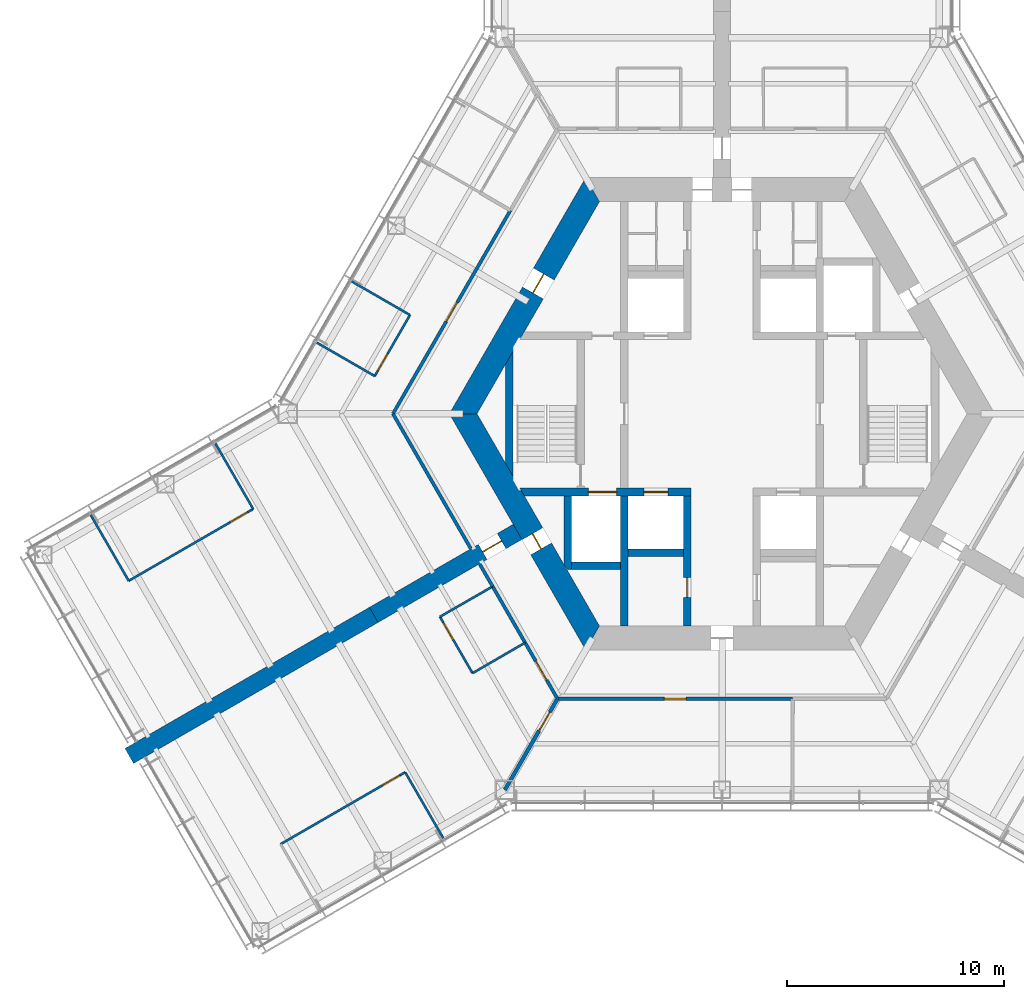
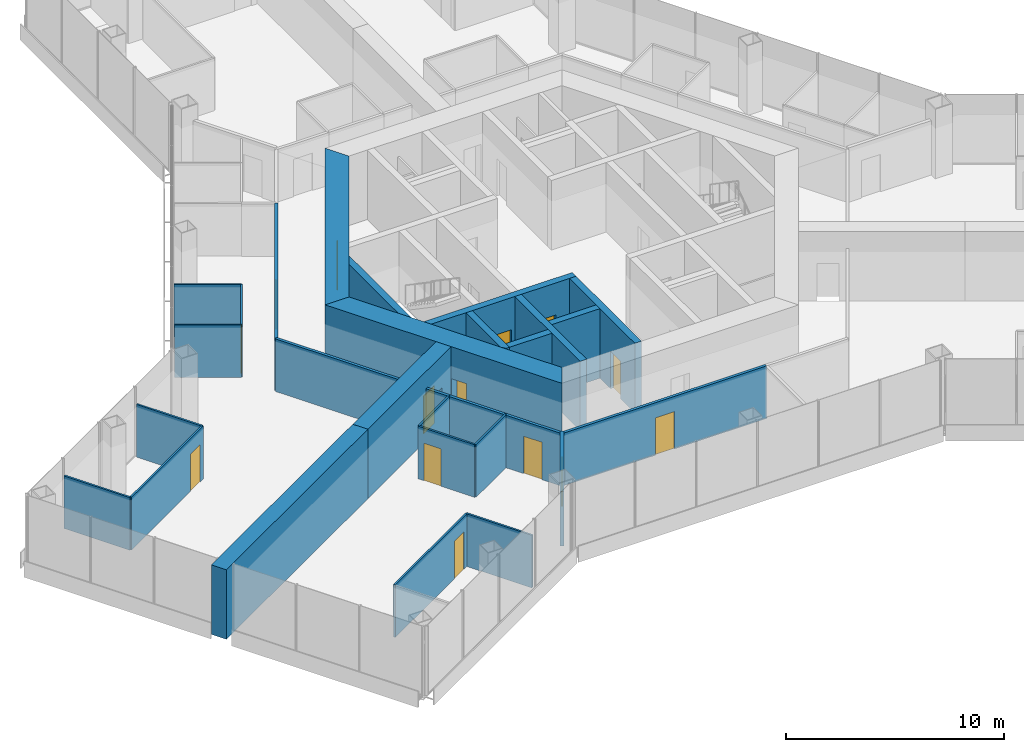
# One storey, part 12 of 18: 29 walls, 14 doors, 14 openings.
"""IFC4 building model written with IfcOpenShell, lengths in metres."""

from ifc_helpers import new_model, si_unit, direction, frame, frame_2d, origin, place, context, subcontext, project, spatial, polyline, rectangle, outline, extrude, material, layer, layer_set, type_object, element, fill, save


model = new_model("IFC4")

# Units and contexts
model_context = context("Model", 3, precision=1e-05, world=origin(), true_north=direction((0.0, 1.0)))
body_context = subcontext(model_context, "Body", "Model", "MODEL_VIEW")
ifc_project = project(units=[si_unit("LENGTHUNIT", "METRE"), si_unit("AREAUNIT", "SQUARE_METRE"), si_unit("VOLUMEUNIT", "CUBIC_METRE"), si_unit("PLANEANGLEUNIT", "RADIAN"), si_unit("MASSUNIT", "GRAM", prefix="KILO")], contexts=[model_context])

# Site, building, storey
site_placement = place(None, origin())
site = spatial("IfcSite", under=ifc_project, at=site_placement, CompositionType="ELEMENT")
building_placement = place(site_placement, origin())
building = spatial("IfcBuilding", under=site, at=building_placement, Name="Kasaneha Research Tower", CompositionType="ELEMENT")
storey_placement = place(building_placement, frame((0.0, 0.0, 69.0)))
storey = spatial("IfcBuildingStorey", under=building, at=storey_placement, Name="L17", CompositionType="ELEMENT", Elevation=69.0)

# Wall, openings, doors
ifc_material_1 = material(Name="Concrete Fc80", Category="concrete")
ifc_layer_1 = layer(ifc_material_1, 0.35009765625)
ifc_layer_set_1 = layer_set([ifc_layer_1], Name="Core internal wall 350 Fc80")
wall_type_1 = type_object("IfcWallType", Name="Core internal wall 350 Fc80", PredefinedType="SHEAR", material=ifc_layer_set_1)
wall_1_placement = place(storey_placement, frame((-9.208740234375, -3.60009765625, 0.0), z_axis=(0.0, 0.0, 1.0), x_axis=(1.0, 0.0, 0.0)))
wall_1 = element("IfcWall", 1, at=wall_1_placement, inside=storey, type_object=wall_type_1, Name="Core wall W2W L17", PredefinedType="SHEAR", context=body_context, shape_type="SweptSolid", body=[
    extrude(outline(polyline([(0.10107421875, -0.175048828125), (3.058837890625, -0.175048828125), (4.35888671875, -0.175048828125), (5.608642578125, -0.175048828125), (6.708740234375, -0.175048828125), (7.78369140625, -0.175048828125), (7.78369140625, 0.175048828125), (6.708740234375, 0.175048828125), (5.608642578125, 0.175048828125), (4.35888671875, 0.175048828125), (3.058837890625, 0.175048828125), (-0.10107421875, 0.175048828125), (0.10107421875, -0.175048828125)])), origin(), (0.0, 0.0, 1.0), 3.89990234375),
])
opening_1_placement = place(wall_1_placement, frame((5.608642578125, 0.0, 0.0)))
opening_1 = element("IfcOpeningElement", 2, at=opening_1_placement, cuts=wall_1, Name="Opening LD-LO2-L17", PredefinedType="OPENING", context=body_context, shape_type="SweptSolid", body=[
    extrude(rectangle(XDim=1.10009765625, YDim=2.10009765625, at=frame_2d((0.550048828125, 1.050048828125))), frame((0.0, 0.18505859375, 0.0), z_axis=(0.0, -1.0, 0.0), x_axis=(1.0, 0.0, 0.0)), (0.0, 0.0, 1.0), 0.3701171875),
])
opening_2_placement = place(wall_1_placement, frame((3.058837890625, 0.0, 0.0)))
opening_2 = element("IfcOpeningElement", 3, at=opening_2_placement, cuts=wall_1, Name="Opening LD-FL2-L17", PredefinedType="OPENING", context=body_context, shape_type="SweptSolid", body=[
    extrude(rectangle(XDim=1.300048828125, YDim=2.10009765625, at=frame_2d((0.64990234375, 1.050048828125))), frame((0.0, 0.18505859375, 0.0), z_axis=(0.0, -1.0, 0.0), x_axis=(1.0, 0.0, 0.0)), (0.0, 0.0, 1.0), 0.3701171875),
])
ifc_material_2 = material(Name="Steel", Category="steel")
door_type_1 = type_object("IfcDoorType", Name="Lift landing door 1100x2100", OperationType="DOUBLE_DOOR_SLIDING", PredefinedType="DOOR", material=ifc_material_2)
door_1_placement = place(opening_1_placement, origin())
door_1 = element("IfcDoor", 4, at=door_1_placement, inside=storey, type_object=door_type_1, Name="Landing door LO2 LD-LO2-L17", OperationType="DOUBLE_DOOR_SLIDING", OverallHeight=2.10009765625, OverallWidth=1.10009765625, PredefinedType="DOOR", context=body_context, shape_type="SweptSolid", body=[
    extrude(rectangle(XDim=1.10009765625, YDim=2.10009765625, at=frame_2d((0.550048828125, 1.050048828125))), frame((0.0, 0.02490234375, 0.0), z_axis=(0.0, -1.0, 0.0), x_axis=(1.0, 0.0, 0.0)), (0.0, 0.0, 1.0), 0.050048828125),
])
fill(opening_1, door_1)
ifc_material_3 = material(Name="Steel", Category="steel")
door_type_2 = type_object("IfcDoorType", Name="Lift landing door 1300x2100", OperationType="DOUBLE_DOOR_SLIDING", PredefinedType="DOOR", material=ifc_material_3)
door_2_placement = place(opening_2_placement, origin())
door_2 = element("IfcDoor", 5, at=door_2_placement, inside=storey, type_object=door_type_2, Name="Landing door FL2 LD-FL2-L17", OperationType="DOUBLE_DOOR_SLIDING", OverallHeight=2.10009765625, OverallWidth=1.300048828125, PredefinedType="DOOR", context=body_context, shape_type="SweptSolid", body=[
    extrude(rectangle(XDim=1.300048828125, YDim=2.10009765625, at=frame_2d((0.64990234375, 1.050048828125))), frame((0.0, 0.02490234375, 0.0), z_axis=(0.0, -1.0, 0.0), x_axis=(1.0, 0.0, 0.0)), (0.0, 0.0, 1.0), 0.050048828125),
])
fill(opening_2, door_2)

# Wall, opening, door
wall_2_placement = place(storey_placement, frame((-1.60009765625, -3.77490234375, 0.0), z_axis=(0.0, 0.0, 1.0), x_axis=(0.0, -1.0, 0.0)))
wall_2 = element("IfcWall", 6, at=wall_2_placement, inside=storey, type_object=wall_type_1, Name="Core wall CSW L17", PredefinedType="SHEAR", context=body_context, shape_type="SweptSolid", body=[
    extrude(rectangle(XDim=6.0, YDim=0.35009765625, at=frame_2d((3.0, 0.0))), origin(), (0.0, 0.0, 1.0), 3.89990234375),
])
opening_3_placement = place(wall_2_placement, frame((3.77490234375, 0.0, 0.0)))
opening_3 = element("IfcOpeningElement", 7, at=opening_3_placement, cuts=wall_2, Name="Opening L17-D16", PredefinedType="OPENING", context=body_context, shape_type="SweptSolid", body=[
    extrude(rectangle(XDim=0.89990234375, YDim=2.10009765625, at=frame_2d((0.449951171875, 1.050048828125))), frame((0.0, 0.18505859375, 0.0), z_axis=(0.0, -1.0, 0.0), x_axis=(1.0, 0.0, 0.0)), (0.0, 0.0, 1.0), 0.3701171875),
])
ifc_material_4 = material(Name="Steel", Category="steel")
door_type_3 = type_object("IfcDoorType", Name="Riser access door FD60 900x2100", OperationType="NOTDEFINED", PredefinedType="DOOR", material=ifc_material_4)
door_3_placement = place(opening_3_placement, origin())
door_3 = element("IfcDoor", 8, at=door_3_placement, inside=storey, type_object=door_type_3, Name="Electrical riser door L17-D16", OperationType="SINGLE_SWING_LEFT", OverallHeight=2.10009765625, OverallWidth=0.89990234375, PredefinedType="DOOR", context=body_context, shape_type="SweptSolid", body=[
    extrude(rectangle(XDim=0.89990234375, YDim=2.10009765625, at=frame_2d((0.449951171875, 1.050048828125))), frame((0.0, 0.02490234375, 0.0), z_axis=(0.0, -1.0, 0.0), x_axis=(1.0, 0.0, 0.0)), (0.0, 0.0, 1.0), 0.050048828125),
])
fill(opening_3, door_3)

# Walls
wall_3_placement = place(storey_placement, frame((-4.5, -3.77490234375, 0.0), z_axis=(0.0, 0.0, 1.0), x_axis=(0.0, -1.0, 0.0)))
element("IfcWall", 9, at=wall_3_placement, inside=storey, type_object=wall_type_1, Name="Core wall SSW L17", PredefinedType="SHEAR", context=body_context, shape_type="SweptSolid", body=[
    extrude(rectangle(XDim=6.0, YDim=0.35009765625, at=frame_2d((3.0, 0.0))), origin(), (0.0, 0.0, 1.0), 3.89990234375),
])
wall_4_placement = place(storey_placement, frame((-4.324951171875, -6.39990234375, 0.0), z_axis=(0.0, 0.0, 1.0), x_axis=(1.0, 0.0, 0.0)))
element("IfcWall", 10, at=wall_4_placement, inside=storey, type_object=wall_type_1, Name="Core wall S1S L17", PredefinedType="SHEAR", context=body_context, shape_type="SweptSolid", body=[
    extrude(rectangle(XDim=2.550048828125, YDim=0.35009765625, at=frame_2d((1.27490234375, 0.0))), origin(), (0.0, 0.0, 1.0), 3.89990234375),
])
wall_5_placement = place(storey_placement, frame((-6.925048828125, -7.0, 0.0), z_axis=(0.0, 0.0, 1.0), x_axis=(1.0, 0.0, 0.0)))
element("IfcWall", 11, at=wall_5_placement, inside=storey, type_object=wall_type_1, Name="Core wall F2S L17", PredefinedType="SHEAR", context=body_context, shape_type="SweptSolid", body=[
    extrude(rectangle(XDim=2.25, YDim=0.35009765625, at=frame_2d((1.125, 0.0))), origin(), (0.0, 0.0, 1.0), 3.89990234375),
])
wall_6_placement = place(storey_placement, frame((-7.10009765625, -3.77490234375, 0.0), z_axis=(0.0, 0.0, 1.0), x_axis=(0.0, -1.0, 0.0)))
element("IfcWall", 12, at=wall_6_placement, inside=storey, type_object=wall_type_1, Name="Core wall F2W L17", PredefinedType="SHEAR", context=body_context, shape_type="SweptSolid", body=[
    extrude(outline(polyline([(0.0, -0.175048828125), (3.174560546875, -0.175048828125), (3.400146484375, 0.0), (3.400146484375, 0.175048828125), (0.0, 0.175048828125), (0.0, -0.175048828125)])), origin(), (0.0, 0.0, 1.0), 3.89990234375),
])
wall_7_placement = place(storey_placement, frame((-9.807861328125, -2.562255859375, 0.0), z_axis=(0.0, 0.0, 1.0), x_axis=(0.0, 1.0, 0.0)))
element("IfcWall", 13, at=wall_7_placement, inside=storey, type_object=wall_type_1, Name="Core wall STW L17", PredefinedType="SHEAR", context=body_context, shape_type="SweptSolid", body=[
    extrude(outline(polyline([(-0.30322265625, -0.175048828125), (5.427734375, -0.175048828125), (4.8212890625, 0.175048828125), (0.30322265625, 0.175048828125), (-0.30322265625, -0.175048828125)])), origin(), (0.0, 0.0, 1.0), 3.89990234375),
])

# Wall, opening, door
ifc_material_5 = material(Name="Concrete Fc80", Category="concrete")
ifc_layer_2 = layer(ifc_material_5, 1.10009765625)
ifc_layer_set_2 = layer_set([ifc_layer_2], Name="Core wall 1100 Fc80")
wall_type_2 = type_object("IfcWallType", Name="Core wall 1100 Fc80", PredefinedType="SHEAR", material=ifc_layer_set_2)
wall_8_placement = place(storey_placement, frame((-5.961181640625, 10.324951171875, 0.0), z_axis=(0.0, 0.0, 1.0), x_axis=(-0.500004296715, -0.866022923061, 0.0)))
wall_8 = element("IfcWall", 14, at=wall_8_placement, inside=storey, type_object=wall_type_2, Name="Core wall 150 L17", PredefinedType="SHEAR", context=body_context, shape_type="SweptSolid", body=[
    extrude(outline(polyline([(-0.317626953125, -0.550048828125), (4.494140625, -0.550048828125), (5.494140625, -0.550048828125), (12.239990234375, -0.550048828125), (11.604736328125, 0.550048828125), (5.494140625, 0.550048828125), (4.494140625, 0.550048828125), (0.317626953125, 0.550048828125), (-0.317626953125, -0.550048828125)])), origin(), (0.0, 0.0, 1.0), 3.89990234375),
])
opening_4_placement = place(wall_8_placement, frame((4.494140625, 0.0, 0.0)))
opening_4 = element("IfcOpeningElement", 15, at=opening_4_placement, cuts=wall_8, Name="Opening L17-D07", PredefinedType="OPENING", context=body_context, shape_type="SweptSolid", body=[
    extrude(rectangle(XDim=1.0, YDim=2.10009765625, at=frame_2d((0.5, 1.050048828125))), frame((0.0, 0.56005859375, 0.0), z_axis=(0.0, -1.0, 0.0), x_axis=(1.0, 0.0, 0.0)), (0.0, 0.0, 1.0), 1.1201171875),
])
ifc_material_6 = material(Name="Steel", Category="steel")
door_type_4 = type_object("IfcDoorType", Name="Fire door FD20 1000x2100", OperationType="NOTDEFINED", PredefinedType="DOOR", material=ifc_material_6)
door_4_placement = place(opening_4_placement, origin())
door_4 = element("IfcDoor", 16, at=door_4_placement, inside=storey, type_object=door_type_4, Name="Vestibule door L17-D07", OperationType="SINGLE_SWING_LEFT", OverallHeight=2.10009765625, OverallWidth=1.0, PredefinedType="DOOR", context=body_context, shape_type="SweptSolid", body=[
    extrude(rectangle(XDim=1.0, YDim=2.10009765625, at=frame_2d((0.5, 1.050048828125))), frame((0.0, 0.02490234375, 0.0), z_axis=(0.0, -1.0, 0.0), x_axis=(1.0, 0.0, 0.0)), (0.0, 0.0, 1.0), 0.050048828125),
])
fill(opening_4, door_4)

wall_9_placement = place(storey_placement, frame((-11.92236328125, 0.0, 0.0), z_axis=(0.0, 0.0, 1.0), x_axis=(0.500004296715, -0.866022923061, 0.0)))
wall_9 = element("IfcWall", 17, at=wall_9_placement, inside=storey, type_object=wall_type_2, Name="Core wall 210 L17", PredefinedType="SHEAR", context=body_context, shape_type="SweptSolid", body=[
    extrude(outline(polyline([(-0.317626953125, -0.550048828125), (6.381103515625, -0.550048828125), (7.18115234375, -0.550048828125), (12.239990234375, -0.550048828125), (11.604736328125, 0.550048828125), (7.18115234375, 0.550048828125), (6.381103515625, 0.550048828125), (0.317626953125, 0.550048828125), (-0.317626953125, -0.550048828125)])), origin(), (0.0, 0.0, 1.0), 3.89990234375),
])
opening_5_placement = place(wall_9_placement, frame((6.381103515625, 0.0, 0.0)))
opening_5 = element("IfcOpeningElement", 18, at=opening_5_placement, cuts=wall_9, Name="Opening L17-D06", PredefinedType="OPENING", context=body_context, shape_type="SweptSolid", body=[
    extrude(rectangle(XDim=0.800048828125, YDim=2.10009765625, at=frame_2d((0.39990234375, 1.050048828125))), frame((0.0, 0.56005859375, 0.0), z_axis=(0.0, -1.0, 0.0), x_axis=(1.0, 0.0, 0.0)), (0.0, 0.0, 1.0), 1.1201171875),
])
ifc_material_7 = material(Name="Steel", Category="steel")
door_type_5 = type_object("IfcDoorType", Name="Riser access door FD60 800x2100", OperationType="NOTDEFINED", PredefinedType="DOOR", material=ifc_material_7)
door_5_placement = place(opening_5_placement, origin())
door_5 = element("IfcDoor", 19, at=door_5_placement, inside=storey, type_object=door_type_5, Name="Duct riser door L17-D06", OperationType="SINGLE_SWING_RIGHT", OverallHeight=2.10009765625, OverallWidth=0.800048828125, PredefinedType="DOOR", context=body_context, shape_type="SweptSolid", body=[
    extrude(rectangle(XDim=0.800048828125, YDim=2.10009765625, at=frame_2d((0.39990234375, 1.050048828125))), frame((0.0, 0.02490234375, 0.0), z_axis=(0.0, -1.0, 0.0), x_axis=(1.0, 0.0, 0.0)), (0.0, 0.0, 1.0), 0.050048828125),
])
fill(opening_5, door_5)

# Walls
ifc_material_8 = material(Name="Gypsum board on steel studs, one layer each side", Category="steel")
ifc_layer_3 = layer(ifc_material_8, 0.10009765625)
ifc_layer_set_3 = layer_set([ifc_layer_3], Name="Office partition 100")
wall_type_3 = type_object("IfcWallType", Name="Office partition 100", PredefinedType="PARTITIONING", material=ifc_layer_set_3)
wall_10_placement = place(storey_placement, frame((-27.324951171875, -7.693115234375, 0.0), z_axis=(0.0, 0.0, 1.0), x_axis=(-0.500010275428, 0.866019471182, 0.0)))
element("IfcWall", 20, at=wall_10_placement, inside=storey, type_object=wall_type_3, Name="Office partition FBN04 L17", PredefinedType="PARTITIONING", context=body_context, shape_type="SweptSolid", body=[
    extrude(rectangle(XDim=3.5, YDim=0.10009765625, at=frame_2d((1.75, 0.0))), origin(), (0.0, 0.0, 1.0), 2.949951171875),
])
wall_11_placement = place(storey_placement, frame((-23.332275390625, -1.36962890625, 0.0), z_axis=(0.0, 0.0, 1.0), x_axis=(0.500009906705, -0.86601968407, 0.0)))
element("IfcWall", 21, at=wall_11_placement, inside=storey, type_object=wall_type_3, Name="Office partition FBN05 L17", PredefinedType="PARTITIONING", context=body_context, shape_type="SweptSolid", body=[
    extrude(rectangle(XDim=3.47998046875, YDim=0.10009765625, at=frame_2d((1.739990234375, 0.0))), origin(), (0.0, 0.0, 1.0), 2.949951171875),
])

# Wall, opening, door
wall_12_placement = place(storey_placement, frame((-21.59228515625, -4.38330078125, 0.0), z_axis=(0.0, 0.0, 1.0), x_axis=(-0.866021597574, -0.500006592492, 0.0)))
wall_12 = element("IfcWall", 22, at=wall_12_placement, inside=storey, type_object=wall_type_3, Name="Office partition FBN06 L17", PredefinedType="PARTITIONING", context=body_context, shape_type="SweptSolid", body=[
    extrude(rectangle(XDim=6.61962890625, YDim=0.10009765625, at=frame_2d((3.309814453125, 0.0))), origin(), (0.0, 0.0, 1.0), 2.949951171875),
])
opening_6_placement = place(wall_12_placement, frame((0.300048828125, 0.0, 0.0)))
opening_6 = element("IfcOpeningElement", 23, at=opening_6_placement, cuts=wall_12, Name="Opening L17-D41", PredefinedType="OPENING", context=body_context, shape_type="SweptSolid", body=[
    extrude(rectangle(XDim=0.89990234375, YDim=2.10009765625, at=frame_2d((0.449951171875, 1.050048828125))), frame((0.0, 0.06005859375, 0.0), z_axis=(0.0, -1.0, 0.0), x_axis=(1.0, 0.0, 0.0)), (0.0, 0.0, 1.0), 0.1201171875),
])
ifc_material_9 = material(Name="Timber veneer", Category="wood")
door_type_6 = type_object("IfcDoorType", Name="Office door 900x2100", OperationType="SINGLE_SWING_LEFT", PredefinedType="DOOR", material=ifc_material_9)
door_6_placement = place(opening_6_placement, origin())
door_6 = element("IfcDoor", 24, at=door_6_placement, inside=storey, type_object=door_type_6, Name="Meeting room door L17-D41", OperationType="SINGLE_SWING_LEFT", OverallHeight=2.10009765625, OverallWidth=0.89990234375, PredefinedType="DOOR", context=body_context, shape_type="SweptSolid", body=[
    extrude(rectangle(XDim=0.89990234375, YDim=2.10009765625, at=frame_2d((0.449951171875, 1.050048828125))), frame((0.0, 0.02490234375, 0.0), z_axis=(0.0, -1.0, 0.0), x_axis=(1.0, 0.0, 0.0)), (0.0, 0.0, 1.0), 0.050048828125),
])
fill(opening_6, door_6)

# Walls
wall_13_placement = place(storey_placement, frame((-17.05615234375, 6.098876953125, 0.0), z_axis=(0.0, 0.0, 1.0), x_axis=(0.86600983753, -0.500026960575, 0.0)))
element("IfcWall", 25, at=wall_13_placement, inside=storey, type_object=wall_type_3, Name="Office partition FBN10 L17", PredefinedType="PARTITIONING", context=body_context, shape_type="SweptSolid", body=[
    extrude(rectangle(XDim=3.099853515625, YDim=0.10009765625, at=frame_2d((1.5498046875, 0.0))), origin(), (0.0, 0.0, 1.0), 2.949951171875),
])
wall_14_placement = place(storey_placement, frame((-15.99462890625, 1.7373046875, 0.0), z_axis=(0.0, 0.0, 1.0), x_axis=(-0.866029832698, 0.499992328818, 0.0)))
element("IfcWall", 26, at=wall_14_placement, inside=storey, type_object=wall_type_3, Name="Office partition FBN11 L17", PredefinedType="PARTITIONING", context=body_context, shape_type="SweptSolid", body=[
    extrude(rectangle(XDim=3.080078125, YDim=0.10009765625, at=frame_2d((1.5400390625, 0.0))), origin(), (0.0, 0.0, 1.0), 2.949951171875),
])

# Wall, opening, door
wall_15_placement = place(storey_placement, frame((-14.37158203125, 4.548828125, 0.0), z_axis=(0.0, 0.0, 1.0), x_axis=(-0.499956811548, -0.866050337213, 0.0)))
wall_15 = element("IfcWall", 27, at=wall_15_placement, inside=storey, type_object=wall_type_3, Name="Office partition FBN12 L17", PredefinedType="PARTITIONING", context=body_context, shape_type="SweptSolid", body=[
    extrude(rectangle(XDim=3.246337890625, YDim=0.10009765625, at=frame_2d((1.623046875, 0.0))), origin(), (0.0, 0.0, 1.0), 2.949951171875),
])
opening_7_placement = place(wall_15_placement, frame((2.04638671875, 0.0, 0.0)))
opening_7 = element("IfcOpeningElement", 28, at=opening_7_placement, cuts=wall_15, Name="Opening L17-D43", PredefinedType="OPENING", context=body_context, shape_type="SweptSolid", body=[
    extrude(rectangle(XDim=0.89990234375, YDim=2.10009765625, at=frame_2d((0.449951171875, 1.050048828125))), frame((0.0, 0.06005859375, 0.0), z_axis=(0.0, -1.0, 0.0), x_axis=(1.0, 0.0, 0.0)), (0.0, 0.0, 1.0), 0.1201171875),
])
door_7_placement = place(opening_7_placement, origin())
door_7 = element("IfcDoor", 29, at=door_7_placement, inside=storey, type_object=door_type_6, Name="Workroom door L17-D43", OperationType="SINGLE_SWING_RIGHT", OverallHeight=2.10009765625, OverallWidth=0.89990234375, PredefinedType="DOOR", context=body_context, shape_type="SweptSolid", body=[
    extrude(rectangle(XDim=0.89990234375, YDim=2.10009765625, at=frame_2d((0.449951171875, 1.050048828125))), frame((0.0, 0.02490234375, 0.0), z_axis=(0.0, -1.0, 0.0), x_axis=(1.0, 0.0, 0.0)), (0.0, 0.0, 1.0), 0.050048828125),
])
fill(opening_7, door_7)

wall_16_placement = place(storey_placement, frame((-20.324951171875, -19.8173828125, 0.0), z_axis=(0.0, 0.0, 1.0), x_axis=(0.866037567856, 0.499978930619, 0.0)))
wall_16 = element("IfcWall", 30, at=wall_16_placement, inside=storey, type_object=wall_type_3, Name="Office partition FBS04 L17", PredefinedType="PARTITIONING", context=body_context, shape_type="SweptSolid", body=[
    extrude(rectangle(XDim=6.619384765625, YDim=0.10009765625, at=frame_2d((3.3095703125, 0.0))), origin(), (0.0, 0.0, 1.0), 2.949951171875),
])
opening_8_placement = place(wall_16_placement, frame((5.419677734375, 0.0, 0.0)))
opening_8 = element("IfcOpeningElement", 31, at=opening_8_placement, cuts=wall_16, Name="Opening L17-D46", PredefinedType="OPENING", context=body_context, shape_type="SweptSolid", body=[
    extrude(rectangle(XDim=0.89990234375, YDim=2.10009765625, at=frame_2d((0.449951171875, 1.050048828125))), frame((0.0, 0.06005859375, 0.0), z_axis=(0.0, -1.0, 0.0), x_axis=(1.0, 0.0, 0.0)), (0.0, 0.0, 1.0), 0.1201171875),
])
door_8_placement = place(opening_8_placement, origin())
door_8 = element("IfcDoor", 32, at=door_8_placement, inside=storey, type_object=door_type_6, Name="Meeting room door L17-D46", OperationType="SINGLE_SWING_RIGHT", OverallHeight=2.10009765625, OverallWidth=0.89990234375, PredefinedType="DOOR", context=body_context, shape_type="SweptSolid", body=[
    extrude(rectangle(XDim=0.89990234375, YDim=2.10009765625, at=frame_2d((0.449951171875, 1.050048828125))), frame((0.0, 0.02490234375, 0.0), z_axis=(0.0, -1.0, 0.0), x_axis=(1.0, 0.0, 0.0)), (0.0, 0.0, 1.0), 0.050048828125),
])
fill(opening_8, door_8)

# Walls
wall_17_placement = place(storey_placement, frame((-14.59228515625, -16.5078125, 0.0), z_axis=(0.0, 0.0, 1.0), x_axis=(0.500010275428, -0.866019471182, 0.0)))
element("IfcWall", 33, at=wall_17_placement, inside=storey, type_object=wall_type_3, Name="Office partition FBS06 L17", PredefinedType="PARTITIONING", context=body_context, shape_type="SweptSolid", body=[
    extrude(rectangle(XDim=3.5, YDim=0.10009765625, at=frame_2d((1.75, 0.0))), origin(), (0.0, 0.0, 1.0), 2.949951171875),
])
wall_18_placement = place(storey_placement, frame((-12.991455078125, -9.34814453125, 0.0), z_axis=(0.0, 0.0, 1.0), x_axis=(0.866817750494, 0.498625097071, 0.0)))
element("IfcWall", 34, at=wall_18_placement, inside=storey, type_object=wall_type_3, Name="Office partition FBS07 L17", PredefinedType="PARTITIONING", context=body_context, shape_type="SweptSolid", body=[
    extrude(rectangle(XDim=2.80029296875, YDim=0.10009765625, at=frame_2d((1.400146484375, 0.0))), origin(), (0.0, 0.0, 1.0), 2.949951171875),
])

# Wall, opening, door
wall_19_placement = place(storey_placement, frame((-11.491455078125, -11.9462890625, 0.0), z_axis=(0.0, 0.0, 1.0), x_axis=(-0.499990139034, 0.866031096941, 0.0)))
wall_19 = element("IfcWall", 35, at=wall_19_placement, inside=storey, type_object=wall_type_3, Name="Office partition FBS08 L17", PredefinedType="PARTITIONING", context=body_context, shape_type="SweptSolid", body=[
    extrude(rectangle(XDim=3.0, YDim=0.10009765625, at=frame_2d((1.5, 0.0))), origin(), (0.0, 0.0, 1.0), 2.949951171875),
])
opening_9_placement = place(wall_19_placement, frame((1.800048828125, 0.0, 0.0)))
opening_9 = element("IfcOpeningElement", 36, at=opening_9_placement, cuts=wall_19, Name="Opening L17-D47", PredefinedType="OPENING", context=body_context, shape_type="SweptSolid", body=[
    extrude(rectangle(XDim=0.89990234375, YDim=2.10009765625, at=frame_2d((0.449951171875, 1.050048828125))), frame((0.0, 0.06005859375, 0.0), z_axis=(0.0, -1.0, 0.0), x_axis=(1.0, 0.0, 0.0)), (0.0, 0.0, 1.0), 0.1201171875),
])
door_9_placement = place(opening_9_placement, origin())
door_9 = element("IfcDoor", 37, at=door_9_placement, inside=storey, type_object=door_type_6, Name="Pantry door L17-D47", OperationType="SINGLE_SWING_RIGHT", OverallHeight=2.10009765625, OverallWidth=0.89990234375, PredefinedType="DOOR", context=body_context, shape_type="SweptSolid", body=[
    extrude(rectangle(XDim=0.89990234375, YDim=2.10009765625, at=frame_2d((0.449951171875, 1.050048828125))), frame((0.0, 0.02490234375, 0.0), z_axis=(0.0, -1.0, 0.0), x_axis=(1.0, 0.0, 0.0)), (0.0, 0.0, 1.0), 0.050048828125),
])
fill(opening_9, door_9)

# Wall
wall_20_placement = place(storey_placement, frame((-9.06884765625, -10.542236328125, 0.0), z_axis=(0.0, 0.0, 1.0), x_axis=(-0.865195372903, -0.501434907746, 0.0)))
element("IfcWall", 38, at=wall_20_placement, inside=storey, type_object=wall_type_3, Name="Office partition FBS09 L17", PredefinedType="PARTITIONING", context=body_context, shape_type="SweptSolid", body=[
    extrude(rectangle(XDim=2.800048828125, YDim=0.10009765625, at=frame_2d((1.39990234375, 0.0))), origin(), (0.0, 0.0, 1.0), 2.949951171875),
])

# Wall, opening, door
ifc_material_10 = material(Name="Concrete Fc80", Category="concrete")
ifc_layer_4 = layer(ifc_material_10, 0.800048828125)
ifc_layer_set_4 = layer_set([ifc_layer_4], Name="Spine wall 800 Fc80")
wall_type_4 = type_object("IfcWallType", Name="Spine wall 800 Fc80", PredefinedType="SHEAR", material=ifc_layer_set_4)
wall_21_placement = place(storey_placement, frame((-9.41796875, -5.4375, 0.0), z_axis=(0.0, 0.0, 1.0), x_axis=(-0.866029782078, -0.499992416496, 0.0)))
wall_21 = element("IfcWall", 39, at=wall_21_placement, inside=storey, type_object=wall_type_4, Name="Spine wall B L17", PredefinedType="SHEAR", context=body_context, shape_type="SweptSolid", body=[
    extrude(rectangle(XDim=7.6455078125, YDim=0.800048828125, at=frame_2d((3.82275390625, 0.0))), origin(), (0.0, 0.0, 1.0), 3.89990234375),
])
opening_10_placement = place(wall_21_placement, frame((0.85009765625, 0.0, 0.0)))
opening_10 = element("IfcOpeningElement", 40, at=opening_10_placement, cuts=wall_21, Name="Opening L17-D18", PredefinedType="OPENING", context=body_context, shape_type="SweptSolid", body=[
    extrude(rectangle(XDim=1.0, YDim=2.10009765625, at=frame_2d((0.5, 1.050048828125))), frame((0.0, 0.41015625, 0.0), z_axis=(0.0, -1.0, 0.0), x_axis=(1.0, 0.0, 0.0)), (0.0, 0.0, 1.0), 0.820068359375),
])
ifc_material_11 = material(Name="Steel", Category="steel")
door_type_7 = type_object("IfcDoorType", Name="Specified fire door FD60 1000x2100", OperationType="NOTDEFINED", PredefinedType="DOOR", material=ifc_material_11)
door_10_placement = place(opening_10_placement, origin())
door_10 = element("IfcDoor", 41, at=door_10_placement, inside=storey, type_object=door_type_7, Name="Spine doorway B L17-D18", OperationType="SINGLE_SWING_LEFT", OverallHeight=2.10009765625, OverallWidth=1.0, PredefinedType="DOOR", context=body_context, shape_type="SweptSolid", body=[
    extrude(rectangle(XDim=1.0, YDim=2.10009765625, at=frame_2d((0.5, 1.050048828125))), frame((0.0, 0.02490234375, 0.0), z_axis=(0.0, -1.0, 0.0), x_axis=(1.0, 0.0, 0.0)), (0.0, 0.0, 1.0), 0.050048828125),
])
fill(opening_10, door_10)

# Wall
wall_22_placement = place(storey_placement, frame((-16.039306640625, -9.26025390625, 0.0), z_axis=(0.0, 0.0, 1.0), x_axis=(-0.866024837091, -0.50000098154, 0.0)))
element("IfcWall", 42, at=wall_22_placement, inside=storey, type_object=wall_type_4, Name="Spine wall B wing L17", PredefinedType="SHEAR", context=body_context, shape_type="SweptSolid", body=[
    extrude(rectangle(XDim=13.0, YDim=0.800048828125, at=frame_2d((6.5, 0.0))), origin(), (0.0, 0.0, 1.0), 3.89990234375),
])

# Wall, opening, door
ifc_material_12 = material(Name="Gypsum board on steel studs, two layers each side", Category="steel")
ifc_layer_5 = layer(ifc_material_12, 0.14990234375)
ifc_layer_set_5 = layer_set([ifc_layer_5], Name="Suite partition 150")
wall_type_5 = type_object("IfcWallType", Name="Suite partition 150", PredefinedType="PARTITIONING", material=ifc_layer_set_5)
wall_23_placement = place(storey_placement, frame((-15.155517578125, 0.0, 0.0), z_axis=(0.0, 0.0, 1.0), x_axis=(0.499994365404, 0.866028656896, 0.0)))
wall_23 = element("IfcWall", 43, at=wall_23_placement, inside=storey, type_object=wall_type_5, Name="Suite partition FBN01 L17", PredefinedType="PARTITIONING", context=body_context, shape_type="SweptSolid", body=[
    extrude(rectangle(XDim=10.8291015625, YDim=0.14990234375, at=frame_2d((5.41455078125, 0.0))), origin(), (0.0, 0.0, 1.0), 2.949951171875),
])
opening_11_placement = place(wall_23_placement, frame((4.91455078125, 0.0, 0.0)))
opening_11 = element("IfcOpeningElement", 44, at=opening_11_placement, cuts=wall_23, Name="Opening L17-D39", PredefinedType="OPENING", context=body_context, shape_type="SweptSolid", body=[
    extrude(rectangle(XDim=1.0, YDim=2.10009765625, at=frame_2d((0.5, 1.050048828125))), frame((0.0, 0.0849609375, 0.0), z_axis=(0.0, -1.0, 0.0), x_axis=(1.0, 0.0, 0.0)), (0.0, 0.0, 1.0), 0.169921875),
])
ifc_material_13 = material(Name="Steel", Category="steel")
door_type_8 = type_object("IfcDoorType", Name="Suite entrance door FD60 1000x2100", OperationType="NOTDEFINED", PredefinedType="DOOR", material=ifc_material_13)
door_11_placement = place(opening_11_placement, origin())
door_11 = element("IfcDoor", 45, at=door_11_placement, inside=storey, type_object=door_type_8, Name="Suite entrance door L17-D39", OperationType="SINGLE_SWING_RIGHT", OverallHeight=2.10009765625, OverallWidth=1.0, PredefinedType="DOOR", context=body_context, shape_type="SweptSolid", body=[
    extrude(rectangle(XDim=1.0, YDim=2.10009765625, at=frame_2d((0.5, 1.050048828125))), frame((0.0, 0.02490234375, 0.0), z_axis=(0.0, -1.0, 0.0), x_axis=(1.0, 0.0, 0.0)), (0.0, 0.0, 1.0), 0.050048828125),
])
fill(opening_11, door_11)

# Walls
wall_24_placement = place(storey_placement, frame((-11.57666015625, -6.19873046875, 0.0), z_axis=(0.0, 0.0, 1.0), x_axis=(-0.500001961223, 0.866024271469, 0.0)))
element("IfcWall", 46, at=wall_24_placement, inside=storey, type_object=wall_type_5, Name="Suite partition FBN02 L17", PredefinedType="PARTITIONING", context=body_context, shape_type="SweptSolid", body=[
    extrude(rectangle(XDim=7.15771484375, YDim=0.14990234375, at=frame_2d((3.578857421875, 0.0))), origin(), (0.0, 0.0, 1.0), 2.949951171875),
])
wall_25_placement = place(storey_placement, frame((-9.064208984375, -10.550537109375, 0.0), z_axis=(0.0, 0.0, 1.0), x_axis=(-0.499977562641, 0.866038357612, 0.0)))
element("IfcWall", 47, at=wall_25_placement, inside=storey, type_object=wall_type_5, Name="Suite partition FBS01 L17", PredefinedType="PARTITIONING", context=body_context, shape_type="SweptSolid", body=[
    extrude(rectangle(XDim=3.010009765625, YDim=0.14990234375, at=frame_2d((1.5048828125, 0.0))), origin(), (0.0, 0.0, 1.0), 2.949951171875),
])
wall_26_placement = place(storey_placement, frame((-10.564208984375, -7.951904296875, 0.0), z_axis=(0.0, 0.0, 1.0), x_axis=(-0.500085263423, 0.865976171327, 0.0)))
element("IfcWall", 48, at=wall_26_placement, inside=storey, type_object=wall_type_5, Name="Suite partition FBS02 L17", PredefinedType="PARTITIONING", context=body_context, shape_type="SweptSolid", body=[
    extrude(rectangle(XDim=1.184326171875, YDim=0.14990234375, at=frame_2d((0.59228515625, 0.0))), origin(), (0.0, 0.0, 1.0), 2.949951171875),
])

# Wall, opening, door
wall_27_placement = place(storey_placement, frame((-7.58935546875, -13.10498046875, 0.0), z_axis=(0.0, 0.0, 1.0), x_axis=(-0.499972416139, 0.866041328748, 0.0)))
wall_27 = element("IfcWall", 49, at=wall_27_placement, inside=storey, type_object=wall_type_5, Name="Suite partition FBS03 L17", PredefinedType="PARTITIONING", context=body_context, shape_type="SweptSolid", body=[
    extrude(rectangle(XDim=2.959228515625, YDim=0.14990234375, at=frame_2d((1.4794921875, 0.0))), origin(), (0.0, 0.0, 1.0), 2.949951171875),
])
opening_12_placement = place(wall_27_placement, frame((0.9794921875, 0.0, 0.0)))
opening_12 = element("IfcOpeningElement", 50, at=opening_12_placement, cuts=wall_27, Name="Opening L17-D45", PredefinedType="OPENING", context=body_context, shape_type="SweptSolid", body=[
    extrude(rectangle(XDim=1.0, YDim=2.10009765625, at=frame_2d((0.5, 1.050048828125))), frame((0.0, 0.0849609375, 0.0), z_axis=(0.0, -1.0, 0.0), x_axis=(1.0, 0.0, 0.0)), (0.0, 0.0, 1.0), 0.169921875),
])
door_12_placement = place(opening_12_placement, origin())
door_12 = element("IfcDoor", 51, at=door_12_placement, inside=storey, type_object=door_type_8, Name="Suite entrance door L17-D45", OperationType="SINGLE_SWING_RIGHT", OverallHeight=2.10009765625, OverallWidth=1.0, PredefinedType="DOOR", context=body_context, shape_type="SweptSolid", body=[
    extrude(rectangle(XDim=1.0, YDim=2.10009765625, at=frame_2d((0.5, 1.050048828125))), frame((0.0, 0.02490234375, 0.0), z_axis=(0.0, -1.0, 0.0), x_axis=(1.0, 0.0, 0.0)), (0.0, 0.0, 1.0), 0.050048828125),
])
fill(opening_12, door_12)

wall_28_placement = place(storey_placement, frame((3.25146484375, -13.125, 0.0), z_axis=(0.0, 0.0, 1.0), x_axis=(-1.0, 0.0, 0.0)))
wall_28 = element("IfcWall", 52, at=wall_28_placement, inside=storey, type_object=wall_type_5, Name="Suite partition FCS03 L17", PredefinedType="PARTITIONING", context=body_context, shape_type="SweptSolid", body=[
    extrude(rectangle(XDim=10.80615234375, YDim=0.14990234375, at=frame_2d((5.403076171875, 0.0))), origin(), (0.0, 0.0, 1.0), 2.949951171875),
])
opening_13_placement = place(wall_28_placement, frame((4.903076171875, 0.0, 0.0)))
opening_13 = element("IfcOpeningElement", 53, at=opening_13_placement, cuts=wall_28, Name="Opening L17-D51", PredefinedType="OPENING", context=body_context, shape_type="SweptSolid", body=[
    extrude(rectangle(XDim=1.0, YDim=2.10009765625, at=frame_2d((0.5, 1.050048828125))), frame((0.0, 0.0849609375, 0.0), z_axis=(0.0, -1.0, 0.0), x_axis=(1.0, 0.0, 0.0)), (0.0, 0.0, 1.0), 0.169921875),
])
door_13_placement = place(opening_13_placement, origin())
door_13 = element("IfcDoor", 54, at=door_13_placement, inside=storey, type_object=door_type_8, Name="Suite entrance door L17-D51", OperationType="SINGLE_SWING_LEFT", OverallHeight=2.10009765625, OverallWidth=1.0, PredefinedType="DOOR", context=body_context, shape_type="SweptSolid", body=[
    extrude(rectangle(XDim=1.0, YDim=2.10009765625, at=frame_2d((0.5, 1.050048828125))), frame((0.0, 0.02490234375, 0.0), z_axis=(0.0, -1.0, 0.0), x_axis=(1.0, 0.0, 0.0)), (0.0, 0.0, 1.0), 0.050048828125),
])
fill(opening_13, door_13)

ifc_material_14 = material(Name="Gypsum board on steel studs, two layers each side", Category="steel")
ifc_layer_6 = layer(ifc_material_14, 0.175048828125)
ifc_layer_set_6 = layer_set([ifc_layer_6], Name="Tenancy fire partition 175")
wall_type_6 = type_object("IfcWallType", Name="Tenancy fire partition 175", PredefinedType="PARTITIONING", material=ifc_layer_set_6)
wall_29_placement = place(storey_placement, frame((-7.57763671875, -13.125, 0.0), z_axis=(0.0, 0.0, 1.0), x_axis=(-0.500008905493, -0.866020262135, 0.0)))
wall_29 = element("IfcWall", 55, at=wall_29_placement, inside=storey, type_object=wall_type_6, Name="Tenancy fire partition T240 L17", PredefinedType="PARTITIONING", context=body_context, shape_type="SweptSolid", body=[
    extrude(rectangle(XDim=4.8447265625, YDim=0.175048828125, at=frame_2d((2.42236328125, 0.0))), origin(), (0.0, 0.0, 1.0), 3.050048828125),
])
opening_14_placement = place(wall_29_placement, frame((0.699951171875, 0.0, 0.0)))
opening_14 = element("IfcOpeningElement", 56, at=opening_14_placement, cuts=wall_29, Name="Opening L17-D27", PredefinedType="OPENING", context=body_context, shape_type="SweptSolid", body=[
    extrude(rectangle(XDim=1.0, YDim=2.10009765625, at=frame_2d((0.5, 1.050048828125))), frame((0.0, 0.09765625, 0.0), z_axis=(0.0, -1.0, 0.0), x_axis=(1.0, 0.0, 0.0)), (0.0, 0.0, 1.0), 0.195068359375),
])
door_14_placement = place(opening_14_placement, origin())
door_14 = element("IfcDoor", 57, at=door_14_placement, inside=storey, type_object=door_type_8, Name="Connecting door L17-D27", OperationType="SINGLE_SWING_LEFT", OverallHeight=2.10009765625, OverallWidth=1.0, PredefinedType="DOOR", context=body_context, shape_type="SweptSolid", body=[
    extrude(rectangle(XDim=1.0, YDim=2.10009765625, at=frame_2d((0.5, 1.050048828125))), frame((0.0, 0.02490234375, 0.0), z_axis=(0.0, -1.0, 0.0), x_axis=(1.0, 0.0, 0.0)), (0.0, 0.0, 1.0), 0.050048828125),
])
fill(opening_14, door_14)

save(model, "model.ifc")
